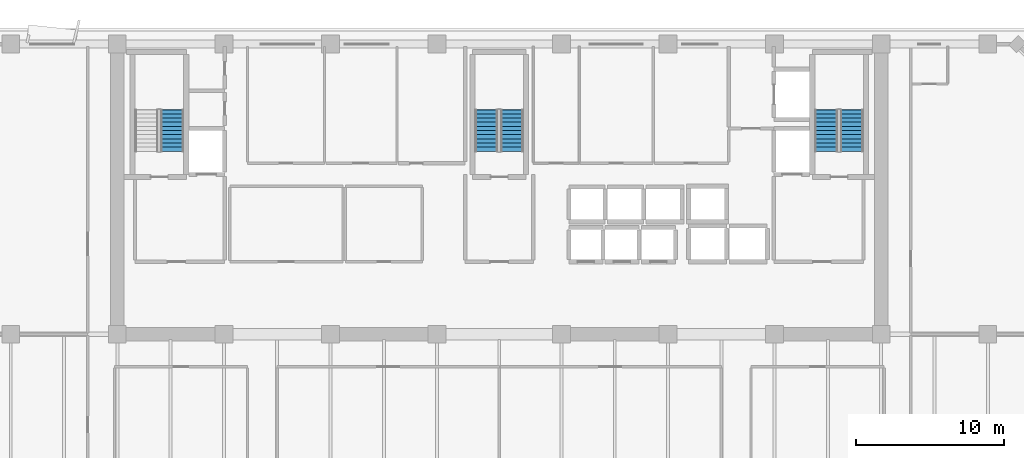
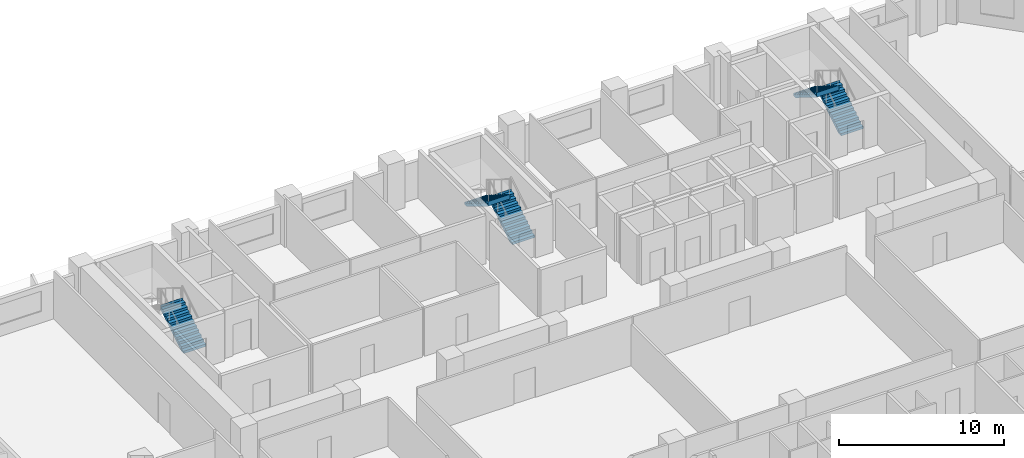
# One storey, part 10 of 15: 5 stair flights, 3 elements without a shape of their own.
"""IFC4 building model written with IfcOpenShell, lengths in metres."""

from ifc_helpers import new_model, si_unit, direction, frame, origin, place, context, subcontext, project, spatial, polyline, outline, extrude, material, type_object, element, aggregate, save


model = new_model("IFC4")

# Units and contexts
model_context = context("Model", 3, precision=1e-05, world=origin(), true_north=direction((0.0, 1.0)))
body_context = subcontext(model_context, "Body", "Model", "MODEL_VIEW")
ifc_project = project(units=[si_unit("LENGTHUNIT", "METRE"), si_unit("AREAUNIT", "SQUARE_METRE"), si_unit("VOLUMEUNIT", "CUBIC_METRE"), si_unit("PLANEANGLEUNIT", "RADIAN"), si_unit("MASSUNIT", "GRAM", prefix="KILO")], contexts=[model_context])

# Site, building, storey
site_placement = place(None, origin())
site = spatial("IfcSite", under=ifc_project, at=site_placement, CompositionType="ELEMENT")
building_placement = place(site_placement, origin())
building = spatial("IfcBuilding", under=site, at=building_placement, Name="Kaelvorn Grand Hotel", CompositionType="ELEMENT")
storey_placement = place(building_placement, frame((0.0, 0.0, 150.550048828125)))
storey = spatial("IfcBuildingStorey", under=building, at=storey_placement, Name="L36", CompositionType="ELEMENT", Elevation=150.550048828125)

# Stair, stair flight
ifc_material = material(Name="Concrete C40/50", Category="concrete")
stair_type = type_object("IfcStairType", Name="STR-DOG-1560-R08", PredefinedType="HALF_TURN_STAIR", material=ifc_material)
stair_1_placement = place(storey_placement, origin())
stair_1 = element("IfcStair", 1, at=stair_1_placement, inside=storey, type_object=stair_type, Name="L36 West Core Exit Stair ST1", PredefinedType="HALF_TURN_STAIR")
stair_flight_type = type_object("IfcStairFlightType", Name="FLG-DOG-1560-R08", PredefinedType="STRAIGHT", material=ifc_material)
stair_flight_1_placement = place(storey_placement, frame((19.89990234375, 41.760009765625, 0.0), z_axis=(0.0, 0.0, 1.0), x_axis=(0.0, 1.0, 0.0)))
stair_flight_1 = element("IfcStairFlight", 2, at=stair_flight_1_placement, type_object=stair_flight_type, Name="ST1 flight 1", NumberOfRisers=11, NumberOfTreads=10, PredefinedType="STRAIGHT", RiserHeight=0.172727273, TreadLength=0.28, context=body_context, shape_type="SweptSolid", body=[
    extrude(outline(polyline([(-0.0048828125, 0.0), (-0.0048828125, 0.0400390625), (0.0, 0.172607421875), (0.280029296875, 0.172607421875), (0.280029296875, 0.345458984375), (0.56005859375, 0.345458984375), (0.56005859375, 0.51806640625), (0.840087890625, 0.51806640625), (0.840087890625, 0.69091796875), (1.1201171875, 0.69091796875), (1.1201171875, 0.863525390625), (1.39990234375, 0.863525390625), (1.39990234375, 1.036376953125), (1.679931640625, 1.036376953125), (1.679931640625, 1.208984375), (1.9599609375, 1.208984375), (1.9599609375, 1.3818359375), (2.239990234375, 1.3818359375), (2.239990234375, 1.554443359375), (2.52001953125, 1.554443359375), (2.52001953125, 1.727294921875), (2.800048828125, 1.727294921875), (2.800048828125, 1.89990234375), (2.804931640625, 1.89990234375), (2.804931640625, 1.551025390625), (0.285400390625, 0.0), (-0.0048828125, 0.0)])), frame((0.0, 0.780029296875, 0.0), z_axis=(0.0, -1.0, 0.0), x_axis=(1.0, 0.0, 0.0)), (0.0, 0.0, 1.0), 1.56005859375),
])
aggregate(stair_1, [stair_flight_1])

# Stair, stair flights
stair_2_placement = place(storey_placement, origin())
stair_2 = element("IfcStair", 3, at=stair_2_placement, inside=storey, type_object=stair_type, Name="L36 Central Core Exit Stair ST2", PredefinedType="HALF_TURN_STAIR")
stair_flight_2_placement = place(storey_placement, frame((42.860107421875, 41.760009765625, 0.0), z_axis=(0.0, 0.0, 1.0), x_axis=(0.0, 1.0, 0.0)))
stair_flight_2 = element("IfcStairFlight", 4, at=stair_flight_2_placement, type_object=stair_flight_type, Name="ST2 flight 1", NumberOfRisers=11, NumberOfTreads=10, PredefinedType="STRAIGHT", RiserHeight=0.172727273, TreadLength=0.28, context=body_context, shape_type="SweptSolid", body=[
    extrude(outline(polyline([(-0.0048828125, 0.0), (-0.0048828125, 0.0400390625), (0.0, 0.172607421875), (0.280029296875, 0.172607421875), (0.280029296875, 0.345458984375), (0.56005859375, 0.345458984375), (0.56005859375, 0.51806640625), (0.840087890625, 0.51806640625), (0.840087890625, 0.69091796875), (1.1201171875, 0.69091796875), (1.1201171875, 0.863525390625), (1.39990234375, 0.863525390625), (1.39990234375, 1.036376953125), (1.679931640625, 1.036376953125), (1.679931640625, 1.208984375), (1.9599609375, 1.208984375), (1.9599609375, 1.3818359375), (2.239990234375, 1.3818359375), (2.239990234375, 1.554443359375), (2.52001953125, 1.554443359375), (2.52001953125, 1.727294921875), (2.800048828125, 1.727294921875), (2.800048828125, 1.89990234375), (2.804931640625, 1.89990234375), (2.804931640625, 1.551025390625), (0.285400390625, 0.0), (-0.0048828125, 0.0)])), frame((0.0, 0.780029296875, 0.0), z_axis=(0.0, -1.0, 0.0), x_axis=(1.0, 0.0, 0.0)), (0.0, 0.0, 1.0), 1.56005859375),
])
stair_flight_3_placement = place(storey_placement, frame((41.139892578125, 44.56005859375, 1.89990234375), z_axis=(0.0, 0.0, 1.0), x_axis=(0.0, -1.0, 0.0)))
stair_flight_3 = element("IfcStairFlight", 5, at=stair_flight_3_placement, type_object=stair_flight_type, Name="ST2 flight 2", NumberOfRisers=11, NumberOfTreads=10, PredefinedType="STRAIGHT", RiserHeight=0.172727273, TreadLength=0.28, context=body_context, shape_type="SweptSolid", body=[
    extrude(outline(polyline([(-0.0048828125, 0.0), (-0.0048828125, 0.0400390625), (0.0, 0.172607421875), (0.280029296875, 0.172607421875), (0.280029296875, 0.345458984375), (0.56005859375, 0.345458984375), (0.56005859375, 0.51806640625), (0.840087890625, 0.51806640625), (0.840087890625, 0.69091796875), (1.1201171875, 0.69091796875), (1.1201171875, 0.863525390625), (1.39990234375, 0.863525390625), (1.39990234375, 1.036376953125), (1.679931640625, 1.036376953125), (1.679931640625, 1.208984375), (1.9599609375, 1.208984375), (1.9599609375, 1.3818359375), (2.239990234375, 1.3818359375), (2.239990234375, 1.554443359375), (2.52001953125, 1.554443359375), (2.52001953125, 1.727294921875), (2.800048828125, 1.727294921875), (2.800048828125, 1.89990234375), (2.804931640625, 1.89990234375), (2.804931640625, 1.551025390625), (0.285400390625, 0.0), (-0.0048828125, 0.0)])), frame((0.0, 0.780029296875, 0.0), z_axis=(0.0, -1.0, 0.0), x_axis=(1.0, 0.0, 0.0)), (0.0, 0.0, 1.0), 1.56005859375),
])
aggregate(stair_2, [stair_flight_2, stair_flight_3])

stair_3_placement = place(storey_placement, origin())
stair_3 = element("IfcStair", 6, at=stair_3_placement, inside=storey, type_object=stair_type, Name="L36 East Core Exit Stair ST3", PredefinedType="HALF_TURN_STAIR")
stair_flight_4_placement = place(storey_placement, frame((65.820068359375, 41.760009765625, 0.0), z_axis=(0.0, 0.0, 1.0), x_axis=(0.0, 1.0, 0.0)))
stair_flight_4 = element("IfcStairFlight", 7, at=stair_flight_4_placement, type_object=stair_flight_type, Name="ST3 flight 1", NumberOfRisers=11, NumberOfTreads=10, PredefinedType="STRAIGHT", RiserHeight=0.172727273, TreadLength=0.28, context=body_context, shape_type="SweptSolid", body=[
    extrude(outline(polyline([(-0.0048828125, 0.0), (-0.0048828125, 0.0400390625), (0.0, 0.172607421875), (0.280029296875, 0.172607421875), (0.280029296875, 0.345458984375), (0.56005859375, 0.345458984375), (0.56005859375, 0.51806640625), (0.840087890625, 0.51806640625), (0.840087890625, 0.69091796875), (1.1201171875, 0.69091796875), (1.1201171875, 0.863525390625), (1.39990234375, 0.863525390625), (1.39990234375, 1.036376953125), (1.679931640625, 1.036376953125), (1.679931640625, 1.208984375), (1.9599609375, 1.208984375), (1.9599609375, 1.3818359375), (2.239990234375, 1.3818359375), (2.239990234375, 1.554443359375), (2.52001953125, 1.554443359375), (2.52001953125, 1.727294921875), (2.800048828125, 1.727294921875), (2.800048828125, 1.89990234375), (2.804931640625, 1.89990234375), (2.804931640625, 1.551025390625), (0.285400390625, 0.0), (-0.0048828125, 0.0)])), frame((0.0, 0.780029296875, 0.0), z_axis=(0.0, -1.0, 0.0), x_axis=(1.0, 0.0, 0.0)), (0.0, 0.0, 1.0), 1.56005859375),
])
stair_flight_5_placement = place(storey_placement, frame((64.10009765625, 44.56005859375, 1.89990234375), z_axis=(0.0, 0.0, 1.0), x_axis=(0.0, -1.0, 0.0)))
stair_flight_5 = element("IfcStairFlight", 8, at=stair_flight_5_placement, type_object=stair_flight_type, Name="ST3 flight 2", NumberOfRisers=11, NumberOfTreads=10, PredefinedType="STRAIGHT", RiserHeight=0.172727273, TreadLength=0.28, context=body_context, shape_type="SweptSolid", body=[
    extrude(outline(polyline([(-0.0048828125, 0.0), (-0.0048828125, 0.0400390625), (0.0, 0.172607421875), (0.280029296875, 0.172607421875), (0.280029296875, 0.345458984375), (0.56005859375, 0.345458984375), (0.56005859375, 0.51806640625), (0.840087890625, 0.51806640625), (0.840087890625, 0.69091796875), (1.1201171875, 0.69091796875), (1.1201171875, 0.863525390625), (1.39990234375, 0.863525390625), (1.39990234375, 1.036376953125), (1.679931640625, 1.036376953125), (1.679931640625, 1.208984375), (1.9599609375, 1.208984375), (1.9599609375, 1.3818359375), (2.239990234375, 1.3818359375), (2.239990234375, 1.554443359375), (2.52001953125, 1.554443359375), (2.52001953125, 1.727294921875), (2.800048828125, 1.727294921875), (2.800048828125, 1.89990234375), (2.804931640625, 1.89990234375), (2.804931640625, 1.551025390625), (0.285400390625, 0.0), (-0.0048828125, 0.0)])), frame((0.0, 0.780029296875, 0.0), z_axis=(0.0, -1.0, 0.0), x_axis=(1.0, 0.0, 0.0)), (0.0, 0.0, 1.0), 1.56005859375),
])
aggregate(stair_3, [stair_flight_4, stair_flight_5])

save(model, "model.ifc")
